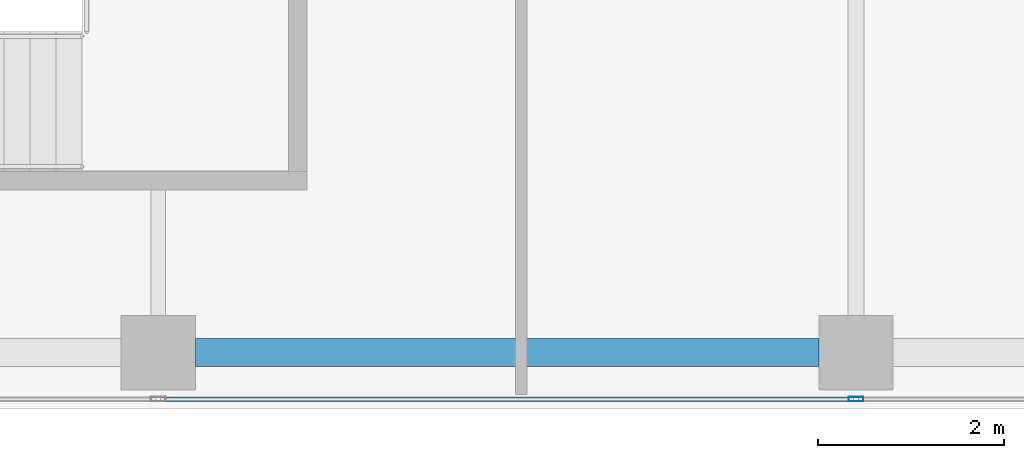
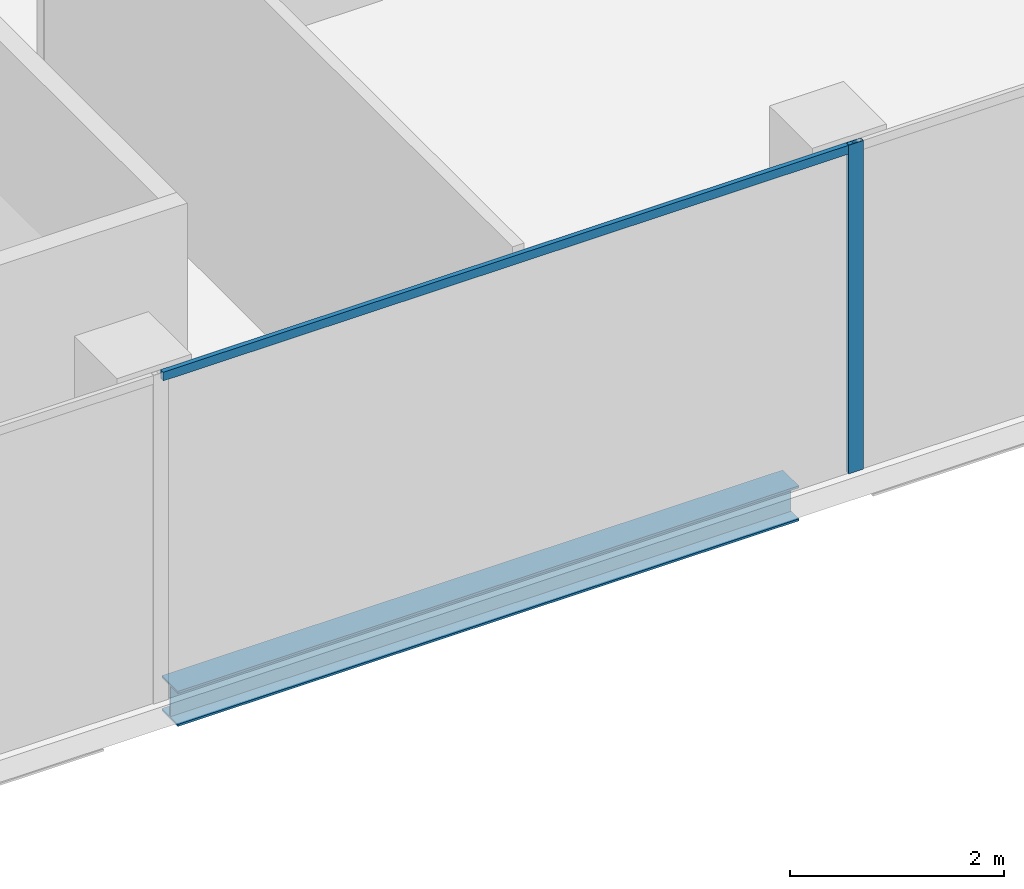
# One storey, part 5 of 29: 2 members, 1 beam, 1 element without a shape of its own.
"""IFC4 building model written with IfcOpenShell, lengths in metres."""

from ifc_helpers import new_model, si_unit, direction, frame, origin, origin_2d, place, context, subcontext, project, spatial, hollow_rectangle, i_section, extrude, source, transform, mapped, material, material_profile, profile_set, type_object, element, aggregate, save


model = new_model("IFC4")

# Units and contexts
model_context = context("Model", 3, precision=1e-05, world=origin(), true_north=direction((0.0, 1.0)))
body_context = subcontext(model_context, "Body", "Model", "MODEL_VIEW")
ifc_project = project(units=[si_unit("LENGTHUNIT", "METRE"), si_unit("AREAUNIT", "SQUARE_METRE"), si_unit("VOLUMEUNIT", "CUBIC_METRE"), si_unit("PLANEANGLEUNIT", "RADIAN"), si_unit("MASSUNIT", "GRAM", prefix="KILO")], contexts=[model_context])

# Site, building, storey
site_placement = place(None, origin())
site = spatial("IfcSite", under=ifc_project, at=site_placement, CompositionType="ELEMENT")
building_placement = place(site_placement, origin())
building = spatial("IfcBuilding", under=site, at=building_placement, Name="Khomas Fold Tower", CompositionType="ELEMENT")
storey_placement = place(building_placement, frame((0.0, 0.0, 326.199951171875)))
storey = spatial("IfcBuildingStorey", under=building, at=storey_placement, Name="L74", CompositionType="ELEMENT", Elevation=326.199951171875)

# Beam
ifc_material_1 = material(Name="Steel S355", Category="steel")
ifc_material_profile_1 = material_profile(ifc_material_1, i_section(OverallWidth=0.300048828125, OverallDepth=0.39990234375, WebThickness=0.013427734375, FlangeThickness=0.02392578125, at=origin_2d()), Name="HE 400 B")
ifc_profile_set_1 = profile_set([ifc_material_profile_1], Name="Steel S355")
beam_type = type_object("IfcBeamType", Name="HE 400 B spandrel SB5", PredefinedType="SPANDREL", material=ifc_profile_set_1)
shared_shape_1 = source(origin(), body_context, "Body", "SweptSolid", [
    extrude(i_section(OverallWidth=0.300048828125, OverallDepth=0.39990234375, WebThickness=0.013427734375, FlangeThickness=0.02392578125, at=origin_2d()), origin(), (0.0, 0.0, 1.0), 6.7001953125),
])
beam_placement = place(storey_placement, frame((19.89990234375, 6.60009765625, -0.449951171875), z_axis=(1.0, 0.0, 0.0), x_axis=(0.0, 1.0, 0.0)))
element("IfcBeam", 1, at=beam_placement, inside=storey, type_object=beam_type, Name="SB5", PredefinedType="SPANDREL", context=body_context, shape_type="MappedRepresentation", body=[
    mapped(shared_shape_1, transform((0.0, 0.0, 0.0))),
])

# Curtain wall, members
ifc_material_2 = material(Name="Aluminium framed double glazing", Category="aluminium")
curtain_wall_type = type_object("IfcCurtainWallType", Name="SK-Unitised clear-glass wall, upper floors CW3", PredefinedType="NOTDEFINED", material=ifc_material_2)
curtain_wall_placement = place(storey_placement, origin())
curtain_wall = element("IfcCurtainWall", 2, at=curtain_wall_placement, inside=storey, type_object=curtain_wall_type, Name="CW3 run L74 00-0", PredefinedType="NOTDEFINED")
ifc_material_3 = material(Name="Aluminium", Category="aluminium")
ifc_material_profile_2 = material_profile(ifc_material_3, hollow_rectangle(XDim=0.050048828125, YDim=0.159912109375, WallThickness=0.00390625, at=origin_2d()), Name="SK-Unitised clear-glass wall, upper floors mullion CW3-M")
ifc_profile_set_2 = profile_set([ifc_material_profile_2], Name="Aluminium")
member_type_1 = type_object("IfcMemberType", Name="SK-Unitised clear-glass wall, upper floors mullion CW3-M", PredefinedType="MULLION", material=ifc_profile_set_2)
shared_shape_2 = source(origin(), body_context, "Body", "SweptSolid", [
    extrude(hollow_rectangle(XDim=0.050048828125, YDim=0.159912109375, WallThickness=0.00390625, at=origin_2d()), origin(), (0.0, 0.0, 1.0), 3.75),
])
member_1_placement = place(storey_placement, frame((27.0, 6.10009765625, 0.0), z_axis=(0.0, 0.0, 1.0), x_axis=(0.0, 1.0, 0.0)))
member_1 = element("IfcMember", 3, at=member_1_placement, type_object=member_type_1, Name="CW3 mullion 4", PredefinedType="MULLION", context=body_context, shape_type="MappedRepresentation", body=[
    mapped(shared_shape_2, transform((0.0, 0.0, 0.0))),
])
ifc_material_4 = material(Name="Aluminium", Category="aluminium")
ifc_material_profile_3 = material_profile(ifc_material_4, hollow_rectangle(XDim=0.050048828125, YDim=0.10009765625, WallThickness=0.00390625, at=origin_2d()), Name="SK-Unitised clear-glass wall, upper floors transom CW3-T")
ifc_profile_set_3 = profile_set([ifc_material_profile_3], Name="Aluminium")
member_type_2 = type_object("IfcMemberType", Name="SK-Unitised clear-glass wall, upper floors transom CW3-T", PredefinedType="USERDEFINED", material=ifc_profile_set_3)
shared_shape_3 = source(origin(), body_context, "Body", "SweptSolid", [
    extrude(hollow_rectangle(XDim=0.050048828125, YDim=0.10009765625, WallThickness=0.00390625, at=origin_2d()), origin(), (0.0, 0.0, 1.0), 7.4501953125),
])
member_2_placement = place(storey_placement, frame((19.52490234375, 6.10009765625, 3.699951171875), z_axis=(1.0, 0.0, 0.0), x_axis=(0.0, 1.0, 0.0)))
member_2 = element("IfcMember", 4, at=member_2_placement, type_object=member_type_2, Name="CW3 transom 3", ObjectType="TRANSOM", PredefinedType="USERDEFINED", context=body_context, shape_type="MappedRepresentation", body=[
    mapped(shared_shape_3, transform((0.0, 0.0, 0.0))),
])
aggregate(curtain_wall, [member_1, member_2])

save(model, "model.ifc")
